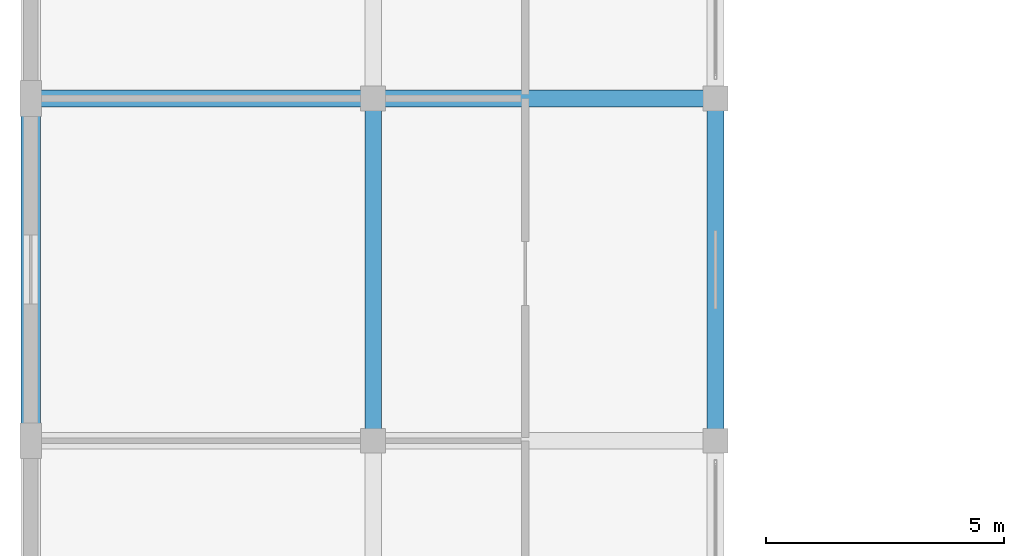
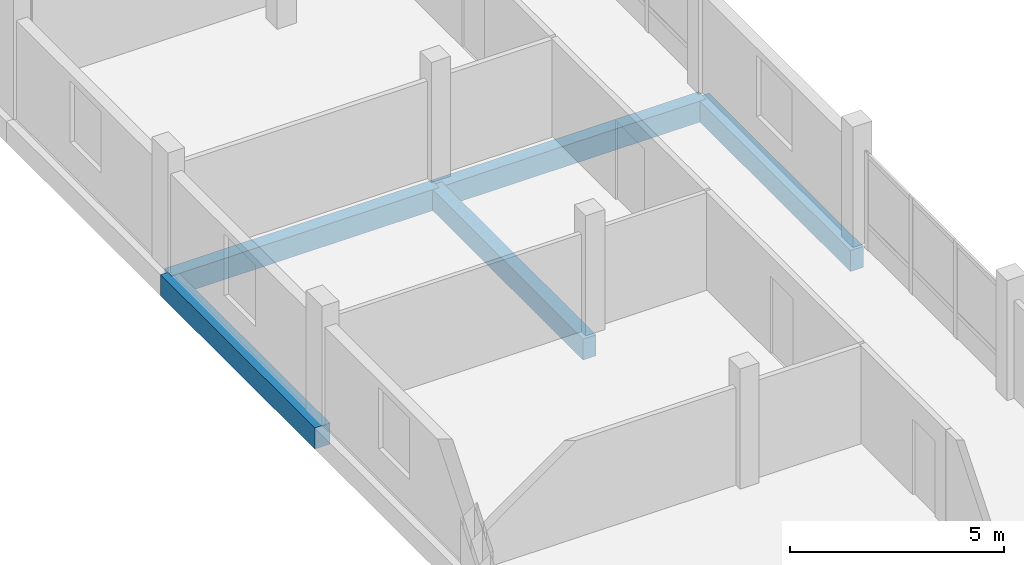
# One storey, part 9 of 26: 5 beams.
"""IFC4 building model written with IfcOpenShell, lengths in metres."""

import ifcopenshell
import ifcopenshell.guid

model = None  # the IFC model being written
_history = None  # IfcOwnerHistory: only IFC2X3 demands one
_inside = {}  # id of a spatial element -> (the spatial element, [elements in it])
_under = {}  # id of a project, library or spatial element -> (it, [spatial elements below it])
_declared = {}  # id of a project -> (the project, [libraries it declares])
_typed = {}  # id of a type object -> (the type object, [elements of that type])
_made_of = {}  # id of a material, layer set ... -> (it, [elements and type objects made of it])


def new_model(schema):
    """Start an empty IFC model of exactly this schema.

    Asked for "IFC4X3", IfcOpenShell would pick the latest addendum, in which some entities
    have other attributes; the version numbers below select the first issue.
    IFC2X3 requires an IfcOwnerHistory on every rooted entity: one is made here for all.
    """
    global model, _history
    if schema == "IFC4X3":
        model = ifcopenshell.file(schema_version=(4, 3, 0, 0))
    else:
        model = ifcopenshell.file(schema=schema)
    _inside.clear()
    _under.clear()
    _declared.clear()
    _typed.clear()
    _made_of.clear()
    _history = None
    if model.schema == "IFC2X3":
        org = make("IfcOrganization", Name="unknown")
        user = make(
            "IfcPersonAndOrganization",
            ThePerson=make("IfcPerson", FamilyName="unknown"),
            TheOrganization=org,
        )
        app = make(
            "IfcApplication",
            ApplicationDeveloper=org,
            Version="unknown",
            ApplicationFullName="unknown",
            ApplicationIdentifier="unknown",
        )
        _history = make(
            "IfcOwnerHistory",
            OwningUser=user,
            OwningApplication=app,
            ChangeAction="ADDED",
            CreationDate=0,
        )
    return model


def make(cls, **values):
    """One entity of the class cls with the attributes given. An attribute that is None is left unset."""
    return model.create_entity(
        cls, **{name: value for name, value in values.items() if value is not None}
    )


def rooted(cls, **values):
    """An entity with a GlobalId (a new one), such as an element, a storey or a relation."""
    return make(cls, GlobalId=ifcopenshell.guid.new(), OwnerHistory=_history, **values)


def si_unit(unit_type, name, prefix=None):
    """IfcSIUnit, for example si_unit("LENGTHUNIT", "METRE", prefix="MILLI")."""
    return make("IfcSIUnit", UnitType=unit_type, Prefix=prefix, Name=name)


def assignment(units):
    """IfcUnitAssignment: the units of a project."""
    return None if units is None else make("IfcUnitAssignment", Units=units)


def point(xyz):
    """IfcCartesianPoint."""
    return None if xyz is None else make("IfcCartesianPoint", Coordinates=xyz)


def direction(xyz):
    """IfcDirection."""
    return None if xyz is None else make("IfcDirection", DirectionRatios=xyz)


def frame(location, z_axis=None, x_axis=None):
    """IfcAxis2Placement3D, a coordinate frame: its origin and axes. An axis left out is left unset."""
    return make(
        "IfcAxis2Placement3D",
        Location=point(location),
        Axis=direction(z_axis),
        RefDirection=direction(x_axis),
    )


def frame_2d(location, x_axis=None):
    """IfcAxis2Placement2D, a coordinate frame in the plane: its origin and x axis."""
    return make(
        "IfcAxis2Placement2D", Location=point(location), RefDirection=direction(x_axis)
    )


def origin():
    """The frame at (0, 0, 0) with its axes left unset."""
    return frame((0.0, 0.0, 0.0))


def origin_2d():
    """The frame at (0, 0) in the plane with its x axis left unset."""
    return frame_2d((0.0, 0.0))


def place(relative_to, where):
    """IfcLocalPlacement: puts the frame where relative to a parent placement (None: the world)."""
    return make(
        "IfcLocalPlacement", PlacementRelTo=relative_to, RelativePlacement=where
    )


def context(
    kind, dimensions, precision=None, world=None, true_north=None, identifier=None
):
    """IfcGeometricRepresentationContext, for example the 3D "Model" context."""
    return make(
        "IfcGeometricRepresentationContext",
        ContextIdentifier=identifier,
        ContextType=kind,
        CoordinateSpaceDimension=dimensions,
        Precision=precision,
        WorldCoordinateSystem=world,
        TrueNorth=true_north,
    )


def subcontext(parent, identifier, kind, view, scale=None):
    """IfcGeometricRepresentationSubContext, for example "Body" below "Model"."""
    return make(
        "IfcGeometricRepresentationSubContext",
        ContextIdentifier=identifier,
        ContextType=kind,
        ParentContext=parent,
        TargetScale=scale,
        TargetView=view,
    )


def project(units=None, contexts=None):
    """IfcProject with its units and contexts."""
    return rooted(
        "IfcProject",
        Name="project",
        RepresentationContexts=contexts,
        UnitsInContext=assignment(units),
    )


def spatial(cls, under=None, at=None, **own):
    """A site, building, storey or space (cls), placed at a placement, below another one or the project."""
    s = rooted(cls, ObjectPlacement=at, **own)
    if under is not None:
        _under.setdefault(under.id(), (under, []))[1].append(s)
    return s


def profile(cls, at=None, kind="AREA", **sizes):
    """A parametric profile (cls). Its sizes go by their IFC names, for example OverallWidth=200.0."""
    return make(cls, ProfileType=kind, Position=at, **sizes)


def rectangle(**sizes):
    """IfcRectangleProfileDef."""
    return profile("IfcRectangleProfileDef", **sizes)


def extrude(swept, where, along, depth):
    """IfcExtrudedAreaSolid: the profile swept, set in the frame where, extruded along a direction by depth."""
    return make(
        "IfcExtrudedAreaSolid",
        SweptArea=swept,
        Position=where,
        ExtrudedDirection=direction(along),
        Depth=depth,
    )


def shape(context_of_items, identifier, shape_type, items):
    """IfcShapeRepresentation: the items that make up one representation, for example the "Body"."""
    return make(
        "IfcShapeRepresentation",
        ContextOfItems=context_of_items,
        RepresentationIdentifier=identifier,
        RepresentationType=shape_type,
        Items=items,
    )


def material(Name=None, Category=None):
    """IfcMaterial."""
    return make("IfcMaterial", Name=Name, Category=Category)


def material_profile(
    of_material, cross_section, Name=None, Category=None, Priority=None
):
    """IfcMaterialProfile: a cross section and its material."""
    return make(
        "IfcMaterialProfile",
        Name=Name,
        Material=of_material,
        Profile=cross_section,
        Priority=Priority,
        Category=Category,
    )


def profile_set(profiles, Name=None, composite=None):
    """IfcMaterialProfileSet."""
    return make(
        "IfcMaterialProfileSet",
        Name=Name,
        MaterialProfiles=profiles,
        CompositeProfile=composite,
    )


def made_of(thing, what):
    """Note that an element or type object is made of a material, layer set ...; save() writes the relation."""
    if what is not None:
        _made_of.setdefault(what.id(), (what, []))[1].append(thing)
    return thing


def type_object(cls, material=None, **own):
    """A type object (cls), such as IfcWallType, which elements share."""
    return made_of(rooted(cls, **own), material)


def element(
    cls,
    number,
    at=None,
    inside=None,
    cuts=None,
    type_object=None,
    material=None,
    context=None,
    identifier="Body",
    shape_type=None,
    held_by="IfcProductDefinitionShape",
    body=None,
    shapes=None,
    **own,
):
    """One element of the class cls, such as IfcWall. Its Tag is "e" and its number.

    at: its placement. inside: the storey or other place that contains it. cuts: it is an
    opening in that element (IfcRelVoidsElement). A single representation is given by context,
    identifier, shape_type and body (its items); several are given by shapes. held_by: the class
    of the entity that holds the representations. save() writes the other relations.
    """
    e = rooted(cls, Tag="e%d" % number, ObjectPlacement=at, **own)
    if body is not None:
        shapes = [shape(context, identifier, shape_type, body)]
    if shapes is not None:
        e.Representation = make(held_by, Representations=shapes)
    if inside is not None:
        _inside.setdefault(inside.id(), (inside, []))[1].append(e)
    if cuts is not None:
        rooted(
            "IfcRelVoidsElement", RelatingBuildingElement=cuts, RelatedOpeningElement=e
        )
    if type_object is not None:
        _typed.setdefault(type_object.id(), (type_object, []))[1].append(e)
    return made_of(e, material)


def aggregate(whole, parts):
    """IfcRelAggregates: a whole, such as a stair, and the parts it consists of."""
    return rooted("IfcRelAggregates", RelatingObject=whole, RelatedObjects=parts)


def save(model, path):
    """Write the relations noted so far, then the file.

    IfcRelAggregates (storeys below a building ...), IfcRelContainedInSpatialStructure (elements
    in a storey), IfcRelDefinesByType, IfcRelAssociatesMaterial and IfcRelDeclares: one each for
    every whole, place, type object, material and project.
    """
    for whole, parts in _under.values():
        aggregate(whole, parts)
    for where, things in _inside.values():
        rooted(
            "IfcRelContainedInSpatialStructure",
            RelatedElements=things,
            RelatingStructure=where,
        )
    for kind, things in _typed.values():
        rooted("IfcRelDefinesByType", RelatedObjects=things, RelatingType=kind)
    for what, things in _made_of.values():
        rooted("IfcRelAssociatesMaterial", RelatedObjects=things, RelatingMaterial=what)
    for by, libraries in _declared.values():
        rooted("IfcRelDeclares", RelatingContext=by, RelatedDefinitions=libraries)
    model.write(path)


model = new_model("IFC4")

# Units and contexts
model_context = context("Model", 3, precision=1e-05, world=origin(), true_north=direction((0.0, 1.0)))
body_context = subcontext(model_context, "Body", "Model", "MODEL_VIEW")
ifc_project = project(units=[si_unit("LENGTHUNIT", "METRE"), si_unit("AREAUNIT", "SQUARE_METRE"), si_unit("VOLUMEUNIT", "CUBIC_METRE"), si_unit("PLANEANGLEUNIT", "RADIAN"), si_unit("MASSUNIT", "GRAM", prefix="KILO")], contexts=[model_context])

# Site, building, storey
site_placement = place(None, origin())
site = spatial("IfcSite", under=ifc_project, at=site_placement, CompositionType="ELEMENT")
building_placement = place(site_placement, origin())
building = spatial("IfcBuilding", under=site, at=building_placement, Name="Zornivar Specialist Clinic", CompositionType="ELEMENT")
storey_placement = place(building_placement, frame((0.0, 0.0, 19.699951171875)))
storey = spatial("IfcBuildingStorey", under=building, at=storey_placement, Name="L05", CompositionType="ELEMENT", Elevation=19.699951171875)

# Beams
ifc_material_1 = material(Name="Concrete C30/37", Category="concrete")
ifc_material_profile_1 = material_profile(ifc_material_1, rectangle(XDim=0.35009765625, YDim=0.60009765625, at=origin_2d()), Name="RC 350x600")
ifc_profile_set_1 = profile_set([ifc_material_profile_1], Name="Concrete C30/37")
beam_type_1 = type_object("IfcBeamType", Name="BM-RC-350x600", PredefinedType="BEAM", material=ifc_profile_set_1)
for number, where, z_axis, x_axis, name in (
    (1, (0.0, 28.800048828125, -0.579833984375), (1.0, 0.0, 0.0), (0.0, 1.0, 0.0), "bm:V2:L05:x:288:0"),
    (2, (7.199951171875, 28.800048828125, -0.579833984375), (1.0, 0.0, 0.0), (0.0, 1.0, 0.0), "bm:V2:L05:x:288:1"),
    (3, (7.199951171875, 21.60009765625, -0.579833984375), (0.0, 1.0, 0.0), (-1.0, 0.0, 0.0), "bm:V2:L05:y:72:3"),
    (4, (14.39990234375, 21.60009765625, -0.579833984375), (0.0, 1.0, 0.0), (-1.0, 0.0, 0.0), "bm:V2:L05:y:144:3"),
):
    element("IfcBeam", number, at=place(storey_placement, frame(where, z_axis=z_axis, x_axis=x_axis)), inside=storey, type_object=beam_type_1, Name=name, PredefinedType="BEAM", context=body_context, shape_type="SweptSolid", body=[
        extrude(rectangle(XDim=0.35009765625, YDim=0.60009765625, at=origin_2d()), origin(), (0.0, 0.0, 1.0), 7.199951171875),
    ])
ifc_material_2 = material(Name="Concrete C30/37", Category="concrete")
ifc_material_profile_2 = material_profile(ifc_material_2, rectangle(XDim=0.409912109375, YDim=0.60009765625, at=origin_2d()), Name="RC 410x600")
ifc_profile_set_2 = profile_set([ifc_material_profile_2], Name="Concrete C30/37")
beam_type_2 = type_object("IfcBeamType", Name="BM-RC-SPANDREL-410x600", PredefinedType="SPANDREL", material=ifc_profile_set_2)
beam_placement = place(storey_placement, frame((0.0, 21.60009765625, -0.579833984375), z_axis=(0.0, 1.0, 0.0), x_axis=(-1.0, 0.0, 0.0)))
element("IfcBeam", 5, at=beam_placement, inside=storey, type_object=beam_type_2, Name="bm:V2:L05:y:0:3", PredefinedType="SPANDREL", context=body_context, shape_type="SweptSolid", body=[
    extrude(rectangle(XDim=0.409912109375, YDim=0.60009765625, at=origin_2d()), origin(), (0.0, 0.0, 1.0), 7.199951171875),
])

save(model, "model.ifc")
